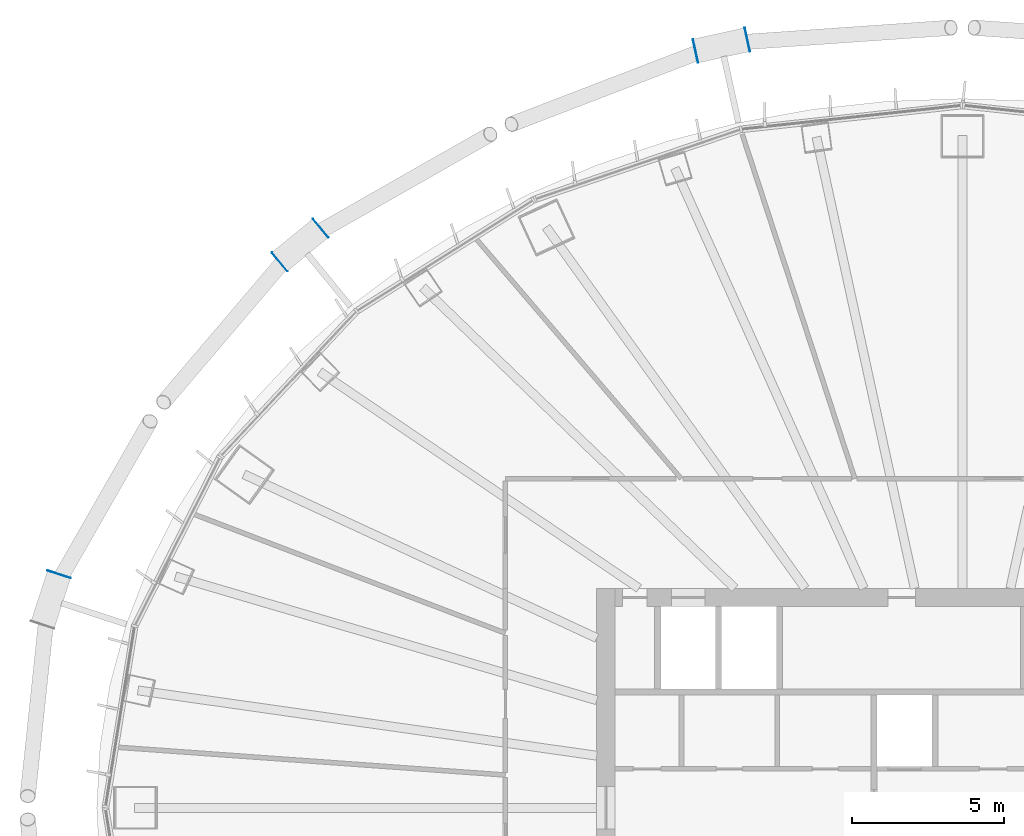
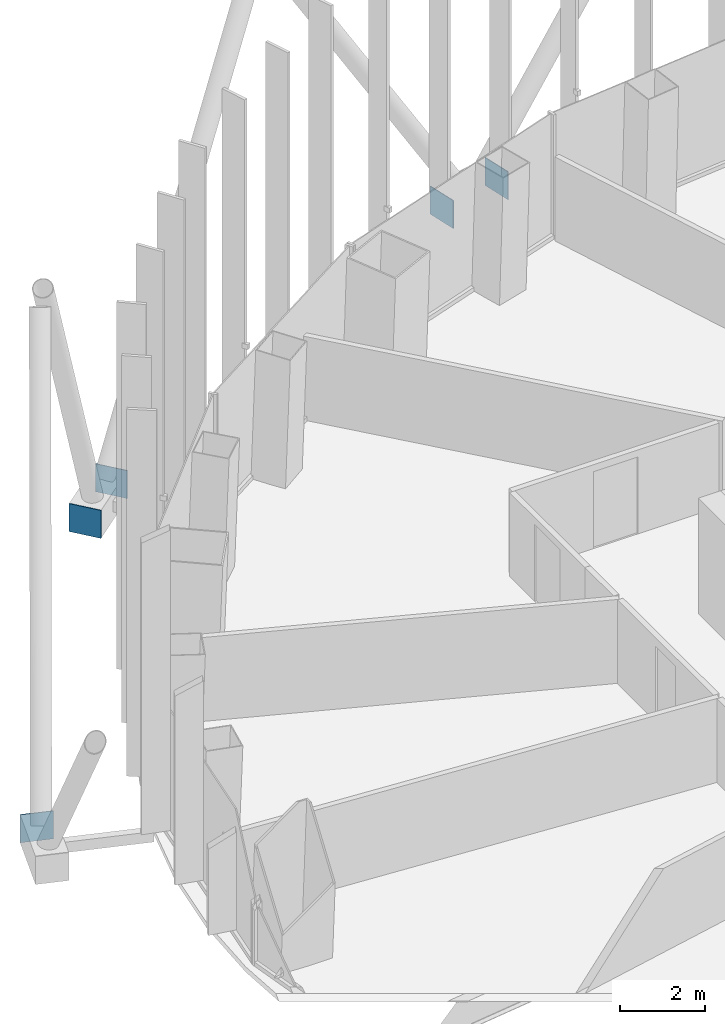
# One storey, part 13 of 22: 5 discrete accessories.
"""IFC4 building model written with IfcOpenShell, lengths in metres."""

from ifc_helpers import new_model, si_unit, direction, frame, origin, origin_2d, place, context, subcontext, project, spatial, rectangle, extrude, material, layer, layer_set, type_object, element, save


model = new_model("IFC4")

# Units and contexts
model_context = context("Model", 3, precision=1e-05, world=origin(), true_north=direction((0.0, 1.0)))
body_context = subcontext(model_context, "Body", "Model", "MODEL_VIEW")
ifc_project = project(units=[si_unit("LENGTHUNIT", "METRE"), si_unit("AREAUNIT", "SQUARE_METRE"), si_unit("VOLUMEUNIT", "CUBIC_METRE"), si_unit("PLANEANGLEUNIT", "RADIAN"), si_unit("MASSUNIT", "GRAM", prefix="KILO")], contexts=[model_context])

# Site, building, storey
site_placement = place(None, origin())
site = spatial("IfcSite", under=ifc_project, at=site_placement, CompositionType="ELEMENT")
building_placement = place(site_placement, origin())
building = spatial("IfcBuilding", under=site, at=building_placement, Name="Siaravel Broadcast Tower", CompositionType="ELEMENT")
storey_placement = place(building_placement, frame((0.0, 0.0, 37.10009765625)))
storey = spatial("IfcBuildingStorey", under=building, at=storey_placement, Name="L07", CompositionType="ELEMENT", Elevation=37.10009765625)

# Discrete accessories
ifc_material = material(Name="Steel S355", Category="steel")
ifc_layer = layer(ifc_material, 0.02001953125)
ifc_layer_set = layer_set([ifc_layer], Name="Steel S355")
discrete_accessory_type = type_object("IfcDiscreteAccessoryType", Name="Steel end plate 20 mm", PredefinedType="USERDEFINED", material=ifc_layer_set)
for number, where, z_axis, x_axis, name in (
    (1, (-8.759033203125, 24.825927734375, -0.60009765625), (0.0, 0.0, 1.0), (-0.976750917, -0.214377344, 0.0), "End plate R04 station 21A"),
    (2, (-7.05859375, 25.19921875, -0.60009765625), (0.0, 0.0, 1.0), (-0.976750917, -0.214377344, 0.0), "End plate R04 station 21B"),
    (3, (-22.4052734375, 17.9111328125, -0.60009765625), (0.0, 0.0, 1.0), (-0.773604694, -0.633668508, 0.0), "End plate R04 station 27A"),
    (4, (-21.05859375, 19.014404296875, -0.60009765625), (0.0, 0.0, 1.0), (-0.773604694, -0.633668508, 0.0), "End plate R04 station 27B"),
    (5, (-29.63623046875, 7.657470703125, -0.60009765625), (0.0, 0.0, 1.0), (-0.310910334, -0.950439248, 0.0), "End plate R04 station 33B"),
):
    element("IfcDiscreteAccessory", number, at=place(storey_placement, frame(where, z_axis=z_axis, x_axis=x_axis)), inside=storey, type_object=discrete_accessory_type, Name=name, ObjectType="END PLATE", PredefinedType="USERDEFINED", context=body_context, shape_type="SweptSolid", body=[
        extrude(rectangle(XDim=0.02001953125, YDim=0.800048828125, at=origin_2d()), origin(), (0.0, 0.0, 1.0), 0.800048828125),
    ])

save(model, "model.ifc")
